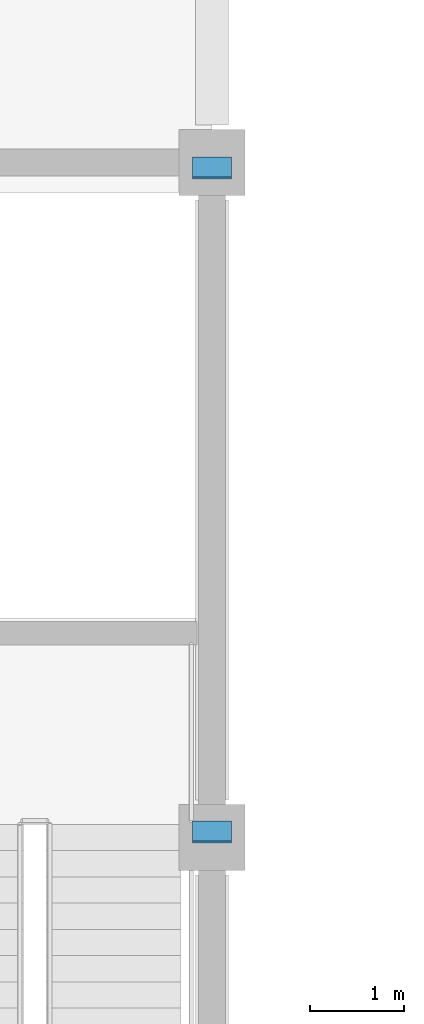
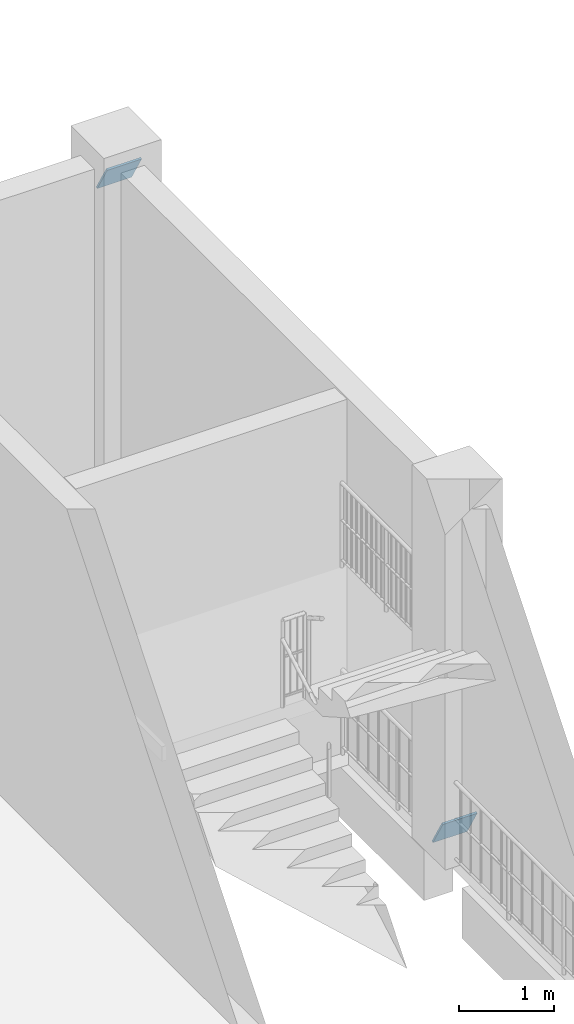
# One storey, part 64 of 99: 2 plates.
"""IFC4 building model written with IfcOpenShell, lengths in metres."""

from ifc_helpers import new_model, si_unit, direction, frame, origin, origin_2d, place, context, subcontext, project, spatial, rectangle, extrude, material, layer, layer_set, type_object, element, save


model = new_model("IFC4")

# Units and contexts
model_context = context("Model", 3, precision=1e-05, world=origin(), true_north=direction((0.0, 1.0)))
body_context = subcontext(model_context, "Body", "Model", "MODEL_VIEW")
ifc_project = project(units=[si_unit("LENGTHUNIT", "METRE"), si_unit("AREAUNIT", "SQUARE_METRE"), si_unit("VOLUMEUNIT", "CUBIC_METRE"), si_unit("PLANEANGLEUNIT", "RADIAN"), si_unit("MASSUNIT", "GRAM", prefix="KILO")], contexts=[model_context])

# Site, building, storey
site_placement = place(None, origin())
site = spatial("IfcSite", under=ifc_project, at=site_placement, CompositionType="ELEMENT")
building_placement = place(site_placement, origin())
building = spatial("IfcBuilding", under=site, at=building_placement, Name="Vesperath Aquatics Centre", CompositionType="ELEMENT")
storey_placement = place(building_placement, frame((0.0, 0.0, 5.39990234375)))
storey = spatial("IfcBuildingStorey", under=building, at=storey_placement, Name="L01", CompositionType="ELEMENT", Elevation=5.39990234375)

# Plates
ifc_material = material(Name="Steel Q355D", Category="steel")
ifc_layer = layer(ifc_material, 0.02392578125)
ifc_layer_set = layer_set([ifc_layer], Name="Steel Q355D")
plate_type = type_object("IfcPlateType", Name="PT-TN04", PredefinedType="SHEET", material=ifc_layer_set)
for number, where, z_axis, x_axis, name in (
    (1, (172.800048828125, 86.448486328125, 0.17822265625), (0.0, 0.863778900717, 0.503871025835), (-1.0, 0.0, 0.0), "Truss Node Cap Plate TN04"),
    (2, (172.800048828125, 93.531005859375, 4.309814453125), (0.0, 0.863778900717, 0.503871025835), (-1.0, 0.0, 0.0), "Truss Node Cap Plate TN04"),
):
    element("IfcPlate", number, at=place(storey_placement, frame(where, z_axis=z_axis, x_axis=x_axis)), inside=storey, type_object=plate_type, Name=name, PredefinedType="SHEET", context=body_context, shape_type="SweptSolid", body=[
        extrude(rectangle(XDim=0.419921875, YDim=0.419921875, at=origin_2d()), origin(), (0.0, 0.0, 1.0), 0.02392578125),
    ])

save(model, "model.ifc")
